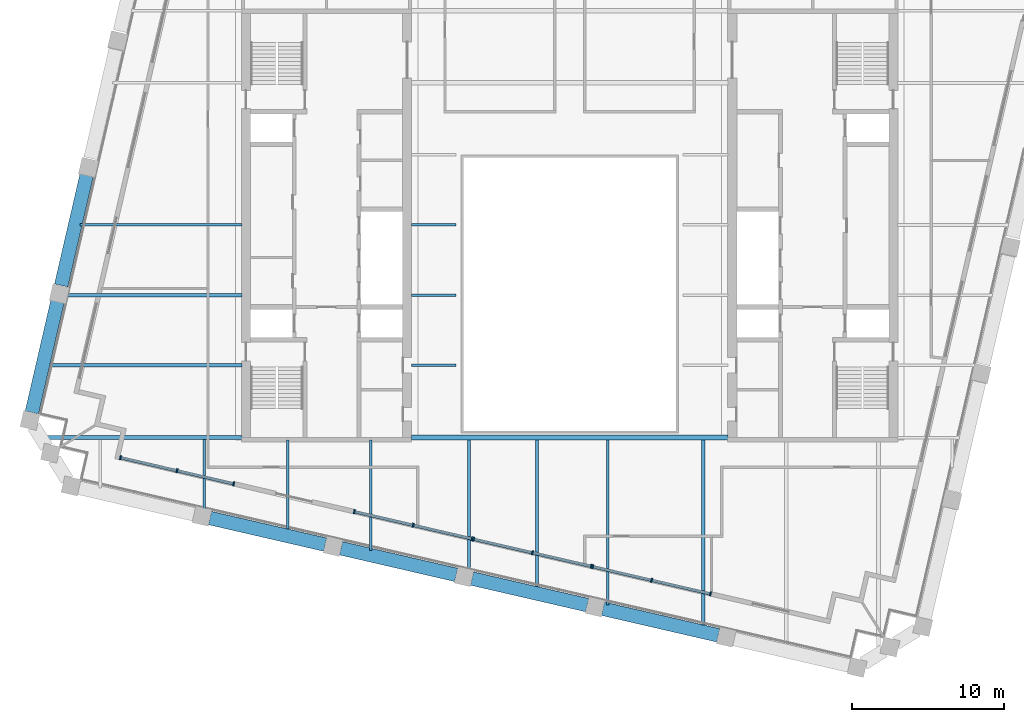
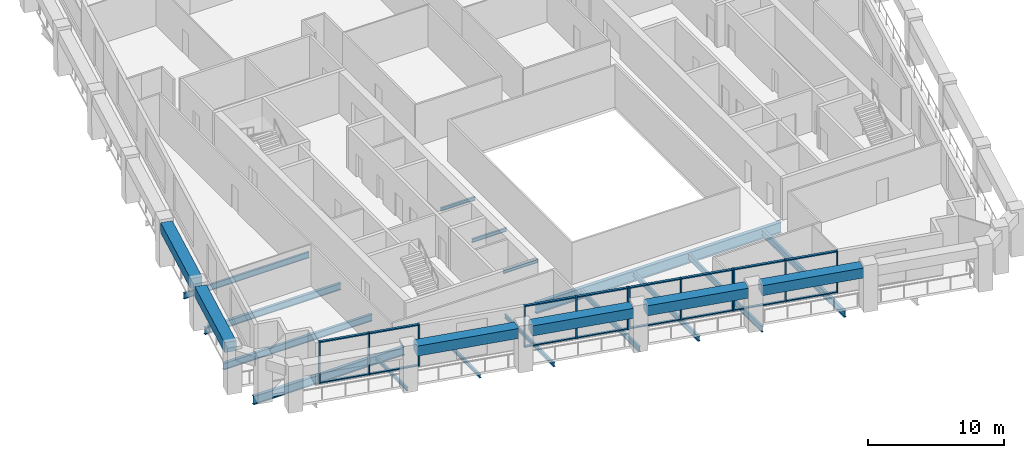
# One storey, part 2 of 11: 28 members, 21 beams, 4 elements without a shape of their own.
"""IFC4 building model written with IfcOpenShell, lengths in metres."""

from ifc_helpers import new_model, si_unit, direction, frame, origin, origin_2d, place, context, subcontext, project, spatial, rectangle, i_section, extrude, material, material_profile, profile_set, type_object, element, aggregate, save


model = new_model("IFC4")

# Units and contexts
model_context = context("Model", 3, precision=1e-05, world=origin(), true_north=direction((0.0, 1.0)))
body_context = subcontext(model_context, "Body", "Model", "MODEL_VIEW")
ifc_project = project(units=[si_unit("LENGTHUNIT", "METRE"), si_unit("AREAUNIT", "SQUARE_METRE"), si_unit("VOLUMEUNIT", "CUBIC_METRE"), si_unit("PLANEANGLEUNIT", "RADIAN"), si_unit("MASSUNIT", "GRAM", prefix="KILO")], contexts=[model_context])

# Site, building, storey
site_placement = place(None, origin())
site = spatial("IfcSite", under=ifc_project, at=site_placement, CompositionType="ELEMENT")
building_placement = place(site_placement, origin())
building = spatial("IfcBuilding", under=site, at=building_placement, Name="Ogive Exchange Tower", CompositionType="ELEMENT")
storey_placement = place(building_placement, frame((0.0, 0.0, 293.39990234375)))
storey = spatial("IfcBuildingStorey", under=building, at=storey_placement, Name="L64", CompositionType="ELEMENT", Elevation=293.39990234375)

# Curtain wall, members
ifc_material_1 = material(Name="Anodised aluminium and clear glass", Category="aluminium")
curtain_wall_type = type_object("IfcCurtainWallType", Name="Executive floor glazing", PredefinedType="NOTDEFINED", material=ifc_material_1)
curtain_wall_1_placement = place(storey_placement, origin())
curtain_wall_1 = element("IfcCurtainWall", 1, at=curtain_wall_1_placement, inside=storey, type_object=curtain_wall_type, Name="Executive floor glazing run G1", PredefinedType="NOTDEFINED")
ifc_material_2 = material(Name="Anodised aluminium", Category="aluminium")
ifc_material_profile_1 = material_profile(ifc_material_2, rectangle(XDim=0.280029296875, YDim=0.10009765625, at=origin_2d()), Name="AL 100x280")
ifc_profile_set_1 = profile_set([ifc_material_profile_1], Name="Anodised aluminium")
member_type_1 = type_object("IfcMemberType", Name="Executive floor glazing mullion 100 x 280", PredefinedType="MULLION", material=ifc_profile_set_1)
member_1_placement = place(storey_placement, frame((-29.5673828125, -3.76953125, 0.0), z_axis=(0.0, 0.0, 1.0), x_axis=(0.224953742238, 0.974369444232, 0.0)))
member_1 = element("IfcMember", 2, at=member_1_placement, type_object=member_type_1, Name="G1 mullion 1", PredefinedType="MULLION", context=body_context, shape_type="SweptSolid", body=[
    extrude(rectangle(XDim=0.280029296875, YDim=0.10009765625, at=origin_2d()), origin(), (0.0, 0.0, 1.0), 3.75),
])
member_2_placement = place(storey_placement, frame((-25.84033203125, -4.6298828125, 0.0), z_axis=(0.0, 0.0, 1.0), x_axis=(0.224953742238, 0.974369444232, 0.0)))
member_2 = element("IfcMember", 3, at=member_2_placement, type_object=member_type_1, Name="G1 mullion 2", PredefinedType="MULLION", context=body_context, shape_type="SweptSolid", body=[
    extrude(rectangle(XDim=0.280029296875, YDim=0.10009765625, at=origin_2d()), origin(), (0.0, 0.0, 1.0), 3.75),
])
member_3_placement = place(storey_placement, frame((-22.113525390625, -5.490478515625, 0.0), z_axis=(0.0, 0.0, 1.0), x_axis=(0.224953742238, 0.974369444232, 0.0)))
member_3 = element("IfcMember", 4, at=member_3_placement, type_object=member_type_1, Name="G1 mullion 3", PredefinedType="MULLION", context=body_context, shape_type="SweptSolid", body=[
    extrude(rectangle(XDim=0.280029296875, YDim=0.10009765625, at=origin_2d()), origin(), (0.0, 0.0, 1.0), 3.75),
])

curtain_wall_2_placement = place(storey_placement, origin())
curtain_wall_2 = element("IfcCurtainWall", 5, at=curtain_wall_2_placement, inside=storey, type_object=curtain_wall_type, Name="Executive floor glazing run G3", PredefinedType="NOTDEFINED")
member_4_placement = place(storey_placement, frame((-14.17236328125, -7.32373046875, 0.0), z_axis=(0.0, 0.0, 1.0), x_axis=(0.224958396731, 0.974368369632, 0.0)))
member_4 = element("IfcMember", 6, at=member_4_placement, type_object=member_type_1, Name="G3 mullion 1", PredefinedType="MULLION", context=body_context, shape_type="SweptSolid", body=[
    extrude(rectangle(XDim=0.280029296875, YDim=0.10009765625, at=origin_2d()), origin(), (0.0, 0.0, 1.0), 3.75),
])
member_5_placement = place(storey_placement, frame((-10.29931640625, -8.218017578125, 0.0), z_axis=(0.0, 0.0, 1.0), x_axis=(0.224958396731, 0.974368369632, 0.0)))
member_5 = element("IfcMember", 7, at=member_5_placement, type_object=member_type_1, Name="G3 mullion 2", PredefinedType="MULLION", context=body_context, shape_type="SweptSolid", body=[
    extrude(rectangle(XDim=0.280029296875, YDim=0.10009765625, at=origin_2d()), origin(), (0.0, 0.0, 1.0), 3.75),
])
member_6_placement = place(storey_placement, frame((-6.426025390625, -9.112060546875, 0.0), z_axis=(0.0, 0.0, 1.0), x_axis=(0.224958396731, 0.974368369632, 0.0)))
member_6 = element("IfcMember", 8, at=member_6_placement, type_object=member_type_1, Name="G3 mullion 3", PredefinedType="MULLION", context=body_context, shape_type="SweptSolid", body=[
    extrude(rectangle(XDim=0.280029296875, YDim=0.10009765625, at=origin_2d()), origin(), (0.0, 0.0, 1.0), 3.75),
])

curtain_wall_3_placement = place(storey_placement, origin())
curtain_wall_3 = element("IfcCurtainWall", 9, at=curtain_wall_3_placement, inside=storey, type_object=curtain_wall_type, Name="Executive floor glazing run G4", PredefinedType="NOTDEFINED")
member_7_placement = place(storey_placement, frame((-6.32861328125, -9.134765625, 0.0), z_axis=(0.0, 0.0, 1.0), x_axis=(0.224943880116, 0.974371721058, 0.0)))
member_7 = element("IfcMember", 10, at=member_7_placement, type_object=member_type_1, Name="G4 mullion 1", PredefinedType="MULLION", context=body_context, shape_type="SweptSolid", body=[
    extrude(rectangle(XDim=0.280029296875, YDim=0.10009765625, at=origin_2d()), origin(), (0.0, 0.0, 1.0), 3.75),
])
member_8_placement = place(storey_placement, frame((-2.45556640625, -10.02880859375, 0.0), z_axis=(0.0, 0.0, 1.0), x_axis=(0.224943880116, 0.974371721058, 0.0)))
member_8 = element("IfcMember", 11, at=member_8_placement, type_object=member_type_1, Name="G4 mullion 2", PredefinedType="MULLION", context=body_context, shape_type="SweptSolid", body=[
    extrude(rectangle(XDim=0.280029296875, YDim=0.10009765625, at=origin_2d()), origin(), (0.0, 0.0, 1.0), 3.75),
])
member_9_placement = place(storey_placement, frame((1.41748046875, -10.9228515625, 0.0), z_axis=(0.0, 0.0, 1.0), x_axis=(0.224943880116, 0.974371721058, 0.0)))
member_9 = element("IfcMember", 12, at=member_9_placement, type_object=member_type_1, Name="G4 mullion 3", PredefinedType="MULLION", context=body_context, shape_type="SweptSolid", body=[
    extrude(rectangle(XDim=0.280029296875, YDim=0.10009765625, at=origin_2d()), origin(), (0.0, 0.0, 1.0), 3.75),
])

curtain_wall_4_placement = place(storey_placement, origin())
curtain_wall_4 = element("IfcCurtainWall", 13, at=curtain_wall_4_placement, inside=storey, type_object=curtain_wall_type, Name="Executive floor glazing run G5", PredefinedType="NOTDEFINED")
member_10_placement = place(storey_placement, frame((1.51513671875, -10.945556640625, 0.0), z_axis=(0.0, 0.0, 1.0), x_axis=(0.224955673842, 0.974368998279, 0.0)))
member_10 = element("IfcMember", 14, at=member_10_placement, type_object=member_type_1, Name="G5 mullion 1", PredefinedType="MULLION", context=body_context, shape_type="SweptSolid", body=[
    extrude(rectangle(XDim=0.280029296875, YDim=0.10009765625, at=origin_2d()), origin(), (0.0, 0.0, 1.0), 3.75),
])
member_11_placement = place(storey_placement, frame((5.38818359375, -11.839599609375, 0.0), z_axis=(0.0, 0.0, 1.0), x_axis=(0.224955673842, 0.974368998279, 0.0)))
member_11 = element("IfcMember", 15, at=member_11_placement, type_object=member_type_1, Name="G5 mullion 2", PredefinedType="MULLION", context=body_context, shape_type="SweptSolid", body=[
    extrude(rectangle(XDim=0.280029296875, YDim=0.10009765625, at=origin_2d()), origin(), (0.0, 0.0, 1.0), 3.75),
])
member_12_placement = place(storey_placement, frame((9.26123046875, -12.73388671875, 0.0), z_axis=(0.0, 0.0, 1.0), x_axis=(0.224955673842, 0.974368998279, 0.0)))
member_12 = element("IfcMember", 16, at=member_12_placement, type_object=member_type_1, Name="G5 mullion 3", PredefinedType="MULLION", context=body_context, shape_type="SweptSolid", body=[
    extrude(rectangle(XDim=0.280029296875, YDim=0.10009765625, at=origin_2d()), origin(), (0.0, 0.0, 1.0), 3.75),
])

# Member
ifc_material_profile_2 = material_profile(ifc_material_2, rectangle(XDim=0.199951171875, YDim=0.10009765625, at=origin_2d()), Name="AL 100x200")
ifc_profile_set_2 = profile_set([ifc_material_profile_2], Name="Anodised aluminium")
member_type_2 = type_object("IfcMemberType", Name="Executive floor glazing transom 100 x 200", PredefinedType="USERDEFINED", material=ifc_profile_set_2)
member_13_placement = place(storey_placement, frame((-29.5185546875, -3.78076171875, 0.050048828125), z_axis=(0.974371307868, -0.224945669891, 0.0), x_axis=(0.224945669891, 0.974371307868, 0.0)))
member_13 = element("IfcMember", 17, at=member_13_placement, type_object=member_type_2, Name="G1 transom 1.1", ObjectType="TRANSOM", PredefinedType="USERDEFINED", context=body_context, shape_type="SweptSolid", body=[
    extrude(rectangle(XDim=0.199951171875, YDim=0.10009765625, at=origin_2d()), origin(), (0.0, 0.0, 1.0), 3.724853515625),
])

member_14_placement = place(storey_placement, frame((-29.5185546875, -3.78076171875, 3.7001953125), z_axis=(0.974371307868, -0.224945669891, 0.0), x_axis=(0.224945669891, 0.974371307868, 0.0)))
member_14 = element("IfcMember", 18, at=member_14_placement, type_object=member_type_2, Name="G1 transom 1.2", ObjectType="TRANSOM", PredefinedType="USERDEFINED", context=body_context, shape_type="SweptSolid", body=[
    extrude(rectangle(XDim=0.199951171875, YDim=0.10009765625, at=origin_2d()), origin(), (0.0, 0.0, 1.0), 3.724853515625),
])

member_15_placement = place(storey_placement, frame((-25.791748046875, -4.641357421875, 0.050048828125), z_axis=(0.974374624094, -0.224931304896, 0.0), x_axis=(0.224931304896, 0.974374624094, 0.0)))
member_15 = element("IfcMember", 19, at=member_15_placement, type_object=member_type_2, Name="G1 transom 2.1", ObjectType="TRANSOM", PredefinedType="USERDEFINED", context=body_context, shape_type="SweptSolid", body=[
    extrude(rectangle(XDim=0.199951171875, YDim=0.10009765625, at=origin_2d()), origin(), (0.0, 0.0, 1.0), 3.72509765625),
])

member_16_placement = place(storey_placement, frame((-25.791748046875, -4.641357421875, 3.7001953125), z_axis=(0.974374624094, -0.224931304896, 0.0), x_axis=(0.224931304896, 0.974374624094, 0.0)))
member_16 = element("IfcMember", 20, at=member_16_placement, type_object=member_type_2, Name="G1 transom 2.2", ObjectType="TRANSOM", PredefinedType="USERDEFINED", context=body_context, shape_type="SweptSolid", body=[
    extrude(rectangle(XDim=0.199951171875, YDim=0.10009765625, at=origin_2d()), origin(), (0.0, 0.0, 1.0), 3.72509765625),
])

aggregate(curtain_wall_1, [member_1, member_2, member_3, member_13, member_14, member_15, member_16])

member_17_placement = place(storey_placement, frame((-14.12353515625, -7.3349609375, 0.050048828125), z_axis=(0.974361454812, -0.224988344981, 0.0), x_axis=(0.224988344981, 0.974361454812, 0.0)))
member_17 = element("IfcMember", 21, at=member_17_placement, type_object=member_type_2, Name="G3 transom 1.1", ObjectType="TRANSOM", PredefinedType="USERDEFINED", context=body_context, shape_type="SweptSolid", body=[
    extrude(rectangle(XDim=0.199951171875, YDim=0.10009765625, at=origin_2d()), origin(), (0.0, 0.0, 1.0), 3.875),
])

member_18_placement = place(storey_placement, frame((-14.12353515625, -7.3349609375, 3.7001953125), z_axis=(0.974361454812, -0.224988344981, 0.0), x_axis=(0.224988344981, 0.974361454812, 0.0)))
member_18 = element("IfcMember", 22, at=member_18_placement, type_object=member_type_2, Name="G3 transom 1.2", ObjectType="TRANSOM", PredefinedType="USERDEFINED", context=body_context, shape_type="SweptSolid", body=[
    extrude(rectangle(XDim=0.199951171875, YDim=0.10009765625, at=origin_2d()), origin(), (0.0, 0.0, 1.0), 3.875),
])

member_19_placement = place(storey_placement, frame((-10.25048828125, -8.229248046875, 0.050048828125), z_axis=(0.974375264972, -0.224928528674, 0.0), x_axis=(0.224928528674, 0.974375264972, 0.0)))
member_19 = element("IfcMember", 23, at=member_19_placement, type_object=member_type_2, Name="G3 transom 2.1", ObjectType="TRANSOM", PredefinedType="USERDEFINED", context=body_context, shape_type="SweptSolid", body=[
    extrude(rectangle(XDim=0.199951171875, YDim=0.10009765625, at=origin_2d()), origin(), (0.0, 0.0, 1.0), 3.875),
])

member_20_placement = place(storey_placement, frame((-10.25048828125, -8.229248046875, 3.7001953125), z_axis=(0.974375264972, -0.224928528674, 0.0), x_axis=(0.224928528674, 0.974375264972, 0.0)))
member_20 = element("IfcMember", 24, at=member_20_placement, type_object=member_type_2, Name="G3 transom 2.2", ObjectType="TRANSOM", PredefinedType="USERDEFINED", context=body_context, shape_type="SweptSolid", body=[
    extrude(rectangle(XDim=0.199951171875, YDim=0.10009765625, at=origin_2d()), origin(), (0.0, 0.0, 1.0), 3.875),
])

aggregate(curtain_wall_2, [member_4, member_5, member_6, member_17, member_18, member_19, member_20])

member_21_placement = place(storey_placement, frame((-6.280029296875, -9.14599609375, 0.050048828125), z_axis=(0.97437845229, -0.22491472098, 0.0), x_axis=(0.22491472098, 0.97437845229, 0.0)))
member_21 = element("IfcMember", 25, at=member_21_placement, type_object=member_type_2, Name="G4 transom 1.1", ObjectType="TRANSOM", PredefinedType="USERDEFINED", context=body_context, shape_type="SweptSolid", body=[
    extrude(rectangle(XDim=0.199951171875, YDim=0.10009765625, at=origin_2d()), origin(), (0.0, 0.0, 1.0), 3.875244140625),
])

member_22_placement = place(storey_placement, frame((-6.280029296875, -9.14599609375, 3.7001953125), z_axis=(0.97437845229, -0.22491472098, 0.0), x_axis=(0.22491472098, 0.97437845229, 0.0)))
member_22 = element("IfcMember", 26, at=member_22_placement, type_object=member_type_2, Name="G4 transom 1.2", ObjectType="TRANSOM", PredefinedType="USERDEFINED", context=body_context, shape_type="SweptSolid", body=[
    extrude(rectangle(XDim=0.199951171875, YDim=0.10009765625, at=origin_2d()), origin(), (0.0, 0.0, 1.0), 3.875244140625),
])

member_23_placement = place(storey_placement, frame((-2.40673828125, -10.0400390625, 0.050048828125), z_axis=(0.974375264972, -0.224928528674, 0.0), x_axis=(0.224928528674, 0.974375264972, 0.0)))
member_23 = element("IfcMember", 27, at=member_23_placement, type_object=member_type_2, Name="G4 transom 2.1", ObjectType="TRANSOM", PredefinedType="USERDEFINED", context=body_context, shape_type="SweptSolid", body=[
    extrude(rectangle(XDim=0.199951171875, YDim=0.10009765625, at=origin_2d()), origin(), (0.0, 0.0, 1.0), 3.875),
])

member_24_placement = place(storey_placement, frame((-2.40673828125, -10.0400390625, 3.7001953125), z_axis=(0.974375264972, -0.224928528674, 0.0), x_axis=(0.224928528674, 0.974375264972, 0.0)))
member_24 = element("IfcMember", 28, at=member_24_placement, type_object=member_type_2, Name="G4 transom 2.2", ObjectType="TRANSOM", PredefinedType="USERDEFINED", context=body_context, shape_type="SweptSolid", body=[
    extrude(rectangle(XDim=0.199951171875, YDim=0.10009765625, at=origin_2d()), origin(), (0.0, 0.0, 1.0), 3.875),
])

aggregate(curtain_wall_3, [member_7, member_8, member_9, member_21, member_22, member_23, member_24])

member_25_placement = place(storey_placement, frame((1.563720703125, -10.956787109375, 0.050048828125), z_axis=(0.974375264972, -0.224928528674, 0.0), x_axis=(0.224928528674, 0.974375264972, 0.0)))
member_25 = element("IfcMember", 29, at=member_25_placement, type_object=member_type_2, Name="G5 transom 1.1", ObjectType="TRANSOM", PredefinedType="USERDEFINED", context=body_context, shape_type="SweptSolid", body=[
    extrude(rectangle(XDim=0.199951171875, YDim=0.10009765625, at=origin_2d()), origin(), (0.0, 0.0, 1.0), 3.875),
])

member_26_placement = place(storey_placement, frame((1.563720703125, -10.956787109375, 3.7001953125), z_axis=(0.974375264972, -0.224928528674, 0.0), x_axis=(0.224928528674, 0.974375264972, 0.0)))
member_26 = element("IfcMember", 30, at=member_26_placement, type_object=member_type_2, Name="G5 transom 1.2", ObjectType="TRANSOM", PredefinedType="USERDEFINED", context=body_context, shape_type="SweptSolid", body=[
    extrude(rectangle(XDim=0.199951171875, YDim=0.10009765625, at=origin_2d()), origin(), (0.0, 0.0, 1.0), 3.875),
])

member_27_placement = place(storey_placement, frame((5.436767578125, -11.850830078125, 0.050048828125), z_axis=(0.97436464378, -0.224974534006, 0.0), x_axis=(0.224974534006, 0.97436464378, 0.0)))
member_27 = element("IfcMember", 31, at=member_27_placement, type_object=member_type_2, Name="G5 transom 2.1", ObjectType="TRANSOM", PredefinedType="USERDEFINED", context=body_context, shape_type="SweptSolid", body=[
    extrude(rectangle(XDim=0.199951171875, YDim=0.10009765625, at=origin_2d()), origin(), (0.0, 0.0, 1.0), 3.875244140625),
])

member_28_placement = place(storey_placement, frame((5.436767578125, -11.850830078125, 3.7001953125), z_axis=(0.97436464378, -0.224974534006, 0.0), x_axis=(0.224974534006, 0.97436464378, 0.0)))
member_28 = element("IfcMember", 32, at=member_28_placement, type_object=member_type_2, Name="G5 transom 2.2", ObjectType="TRANSOM", PredefinedType="USERDEFINED", context=body_context, shape_type="SweptSolid", body=[
    extrude(rectangle(XDim=0.199951171875, YDim=0.10009765625, at=origin_2d()), origin(), (0.0, 0.0, 1.0), 3.875244140625),
])

aggregate(curtain_wall_4, [member_10, member_11, member_12, member_25, member_26, member_27, member_28])

# Beams
ifc_material_3 = material(Name="Steel ASTM A992 Gr50", Category="steel")
ifc_material_profile_3 = material_profile(ifc_material_3, i_section(OverallWidth=0.1650390625, OverallDepth=0.31005859375, WebThickness=0.005859375, FlangeThickness=0.009765625, at=origin_2d()), Name="W310x38.7")
ifc_profile_set_3 = profile_set([ifc_material_profile_3], Name="Steel ASTM A992 Gr50")
beam_type_1 = type_object("IfcBeamType", Name="Floor beam W310x38.7", PredefinedType="JOIST", material=ifc_profile_set_3)
for number, where, z_axis, x_axis, name in (
    (33, (-10.419921875, 2.3212890625, -0.40478515625), (1.0, 0.0, 0.0), (0.0, 1.0, 0.0), "Floor beam"),
    (34, (-10.419921875, 6.9326171875, -0.40478515625), (1.0, 0.0, 0.0), (0.0, 1.0, 0.0), "Floor beam"),
    (35, (-10.419921875, 11.543701171875, -0.40478515625), (1.0, 0.0, 0.0), (0.0, 1.0, 0.0), "Floor beam"),
):
    element("IfcBeam", number, at=place(storey_placement, frame(where, z_axis=z_axis, x_axis=x_axis)), inside=storey, type_object=beam_type_1, Name=name, PredefinedType="JOIST", context=body_context, shape_type="SweptSolid", body=[
        extrude(i_section(OverallWidth=0.1650390625, OverallDepth=0.31005859375, WebThickness=0.005859375, FlangeThickness=0.009765625, at=origin_2d()), origin(), (0.0, 0.0, 1.0), 2.949951171875),
    ])
beam_1_placement = place(storey_placement, frame((-24.03857421875, -7.201171875, -0.40478515625), z_axis=(0.0, 1.0, 0.0), x_axis=(-1.0, 0.0, 0.0)))
element("IfcBeam", 36, at=beam_1_placement, inside=storey, type_object=beam_type_1, Name="Floor beam", PredefinedType="JOIST", context=body_context, shape_type="SweptSolid", body=[
    extrude(i_section(OverallWidth=0.1650390625, OverallDepth=0.31005859375, WebThickness=0.005859375, FlangeThickness=0.009765625, at=origin_2d()), origin(), (0.0, 0.0, 1.0), 4.62255859375),
])
beam_2_placement = place(storey_placement, frame((-18.568603515625, -8.464111328125, -0.40478515625), z_axis=(0.0, 1.0, 0.0), x_axis=(-1.0, 0.0, 0.0)))
element("IfcBeam", 37, at=beam_2_placement, inside=storey, type_object=beam_type_1, Name="Floor beam", PredefinedType="JOIST", context=body_context, shape_type="SweptSolid", body=[
    extrude(i_section(OverallWidth=0.1650390625, OverallDepth=0.31005859375, WebThickness=0.005859375, FlangeThickness=0.009765625, at=origin_2d()), origin(), (0.0, 0.0, 1.0), 5.864013671875),
])
ifc_material_profile_4 = material_profile(ifc_material_3, i_section(OverallWidth=0.1708984375, OverallDepth=0.35595703125, WebThickness=0.00732421875, FlangeThickness=0.01171875, at=origin_2d()), Name="W360x51")
ifc_profile_set_4 = profile_set([ifc_material_profile_4], Name="Steel ASTM A992 Gr50")
beam_type_2 = type_object("IfcBeamType", Name="Floor beam W360x51", PredefinedType="JOIST", material=ifc_profile_set_4)
beam_3_placement = place(storey_placement, frame((-13.098388671875, -9.876953125, -0.427978515625), z_axis=(0.0, 1.0, 0.0), x_axis=(-1.0, 0.0, 0.0)))
element("IfcBeam", 38, at=beam_3_placement, inside=storey, type_object=beam_type_2, Name="Floor beam", PredefinedType="JOIST", context=body_context, shape_type="SweptSolid", body=[
    extrude(i_section(OverallWidth=0.1708984375, OverallDepth=0.35595703125, WebThickness=0.00732421875, FlangeThickness=0.01171875, at=origin_2d()), origin(), (0.0, 0.0, 1.0), 7.27685546875),
])
ifc_material_profile_5 = material_profile(ifc_material_3, i_section(OverallWidth=0.19091796875, OverallDepth=0.45703125, WebThickness=0.009033203125, FlangeThickness=0.014404296875, at=origin_2d()), Name="W460x74")
ifc_profile_set_5 = profile_set([ifc_material_profile_5], Name="Steel ASTM A992 Gr50")
beam_type_3 = type_object("IfcBeamType", Name="Floor beam W460x74", PredefinedType="JOIST", material=ifc_profile_set_5)
beam_4_placement = place(storey_placement, frame((-6.62841796875, -11.220703125, -0.478515625), z_axis=(0.0, 1.0, 0.0), x_axis=(-1.0, 0.0, 0.0)))
element("IfcBeam", 39, at=beam_4_placement, inside=storey, type_object=beam_type_3, Name="Floor beam", PredefinedType="JOIST", context=body_context, shape_type="SweptSolid", body=[
    extrude(i_section(OverallWidth=0.19091796875, OverallDepth=0.45703125, WebThickness=0.009033203125, FlangeThickness=0.014404296875, at=origin_2d()), origin(), (0.0, 0.0, 1.0), 8.625732421875),
])
ifc_material_profile_6 = material_profile(ifc_material_3, i_section(OverallWidth=0.19189453125, OverallDepth=0.4619140625, WebThickness=0.010498046875, FlangeThickness=0.017578125, at=origin_2d()), Name="W460x89")
ifc_profile_set_6 = profile_set([ifc_material_profile_6], Name="Steel ASTM A992 Gr50")
beam_type_4 = type_object("IfcBeamType", Name="Floor beam W460x89", PredefinedType="JOIST", material=ifc_profile_set_6)
beam_5_placement = place(storey_placement, frame((-2.158203125, -12.252685546875, -0.48095703125), z_axis=(0.0, 1.0, 0.0), x_axis=(-1.0, 0.0, 0.0)))
element("IfcBeam", 40, at=beam_5_placement, inside=storey, type_object=beam_type_4, Name="Floor beam", PredefinedType="JOIST", context=body_context, shape_type="SweptSolid", body=[
    extrude(i_section(OverallWidth=0.19189453125, OverallDepth=0.4619140625, WebThickness=0.010498046875, FlangeThickness=0.017578125, at=origin_2d()), origin(), (0.0, 0.0, 1.0), 9.65771484375),
])
ifc_material_profile_7 = material_profile(ifc_material_3, i_section(OverallWidth=0.1669921875, OverallDepth=0.535888671875, WebThickness=0.01025390625, FlangeThickness=0.0166015625, at=origin_2d()), Name="W530x85")
ifc_profile_set_7 = profile_set([ifc_material_profile_7], Name="Steel ASTM A992 Gr50")
beam_type_5 = type_object("IfcBeamType", Name="Floor beam W530x85", PredefinedType="JOIST", material=ifc_profile_set_7)
beam_6_placement = place(storey_placement, frame((-32.2373046875, 11.543701171875, -0.517822265625), z_axis=(1.0, 0.0, 0.0), x_axis=(0.0, 1.0, 0.0)))
element("IfcBeam", 41, at=beam_6_placement, inside=storey, type_object=beam_type_5, Name="Floor beam", PredefinedType="JOIST", context=body_context, shape_type="SweptSolid", body=[
    extrude(i_section(OverallWidth=0.1669921875, OverallDepth=0.535888671875, WebThickness=0.01025390625, FlangeThickness=0.0166015625, at=origin_2d()), origin(), (0.0, 0.0, 1.0), 10.6572265625),
])
beam_7_placement = place(storey_placement, frame((2.51171875, -13.480712890625, -0.517822265625), z_axis=(0.0, 1.0, 0.0), x_axis=(-1.0, 0.0, 0.0)))
element("IfcBeam", 42, at=beam_7_placement, inside=storey, type_object=beam_type_5, Name="Floor beam", PredefinedType="JOIST", context=body_context, shape_type="SweptSolid", body=[
    extrude(i_section(OverallWidth=0.1669921875, OverallDepth=0.535888671875, WebThickness=0.01025390625, FlangeThickness=0.0166015625, at=origin_2d()), origin(), (0.0, 0.0, 1.0), 10.8857421875),
])
ifc_material_profile_8 = material_profile(ifc_material_3, i_section(OverallWidth=0.22802734375, OverallDepth=0.60205078125, WebThickness=0.010498046875, FlangeThickness=0.014892578125, at=origin_2d()), Name="W610x101")
ifc_profile_set_8 = profile_set([ifc_material_profile_8], Name="Steel ASTM A992 Gr50")
beam_type_6 = type_object("IfcBeamType", Name="Floor beam W610x101", PredefinedType="JOIST", material=ifc_profile_set_8)
beam_8_placement = place(storey_placement, frame((-34.21630859375, 2.3212890625, -0.55078125), z_axis=(1.0, 0.0, 0.0), x_axis=(0.0, 1.0, 0.0)))
element("IfcBeam", 43, at=beam_8_placement, inside=storey, type_object=beam_type_6, Name="Floor beam", PredefinedType="JOIST", context=body_context, shape_type="SweptSolid", body=[
    extrude(i_section(OverallWidth=0.22802734375, OverallDepth=0.60205078125, WebThickness=0.010498046875, FlangeThickness=0.014892578125, at=origin_2d()), origin(), (0.0, 0.0, 1.0), 12.63623046875),
])
beam_9_placement = place(storey_placement, frame((-33.15185546875, 6.9326171875, -0.55078125), z_axis=(1.0, 0.0, 0.0), x_axis=(0.0, 1.0, 0.0)))
element("IfcBeam", 44, at=beam_9_placement, inside=storey, type_object=beam_type_6, Name="Floor beam", PredefinedType="JOIST", context=body_context, shape_type="SweptSolid", body=[
    extrude(i_section(OverallWidth=0.22802734375, OverallDepth=0.60205078125, WebThickness=0.010498046875, FlangeThickness=0.014892578125, at=origin_2d()), origin(), (0.0, 0.0, 1.0), 11.57177734375),
])
beam_10_placement = place(storey_placement, frame((8.78173828125, -14.7783203125, -0.55078125), z_axis=(0.0, 1.0, 0.0), x_axis=(-1.0, 0.0, 0.0)))
element("IfcBeam", 45, at=beam_10_placement, inside=storey, type_object=beam_type_6, Name="Floor beam", PredefinedType="JOIST", context=body_context, shape_type="SweptSolid", body=[
    extrude(i_section(OverallWidth=0.22802734375, OverallDepth=0.60205078125, WebThickness=0.010498046875, FlangeThickness=0.014892578125, at=origin_2d()), origin(), (0.0, 0.0, 1.0), 12.183349609375),
])
ifc_material_profile_9 = material_profile(ifc_material_3, i_section(OverallWidth=0.300048828125, OverallDepth=0.97998046875, WebThickness=0.0166015625, FlangeThickness=0.026123046875, at=origin_2d()), Name="W1000x249")
ifc_profile_set_9 = profile_set([ifc_material_profile_9], Name="Steel ASTM A992 Gr50")
beam_type_7 = type_object("IfcBeamType", Name="Girder W1000x249", PredefinedType="BEAM", material=ifc_profile_set_9)
beam_11_placement = place(storey_placement, frame((-10.419921875, -2.445068359375, -0.739990234375), z_axis=(1.0, 0.0, 0.0), x_axis=(0.0, 1.0, 0.0)))
element("IfcBeam", 46, at=beam_11_placement, inside=storey, type_object=beam_type_7, Name="Header girder", PredefinedType="BEAM", context=body_context, shape_type="SweptSolid", body=[
    extrude(i_section(OverallWidth=0.300048828125, OverallDepth=0.97998046875, WebThickness=0.0166015625, FlangeThickness=0.026123046875, at=origin_2d()), origin(), (0.0, 0.0, 1.0), 20.83984375),
])
ifc_material_profile_10 = material_profile(ifc_material_3, i_section(OverallWidth=0.26708984375, OverallDepth=0.75390625, WebThickness=0.01318359375, FlangeThickness=0.01708984375, at=origin_2d()), Name="W760x147")
ifc_profile_set_10 = profile_set([ifc_material_profile_10], Name="Steel ASTM A992 Gr50")
beam_type_8 = type_object("IfcBeamType", Name="Girder W760x147", PredefinedType="BEAM", material=ifc_profile_set_10)
beam_12_placement = place(storey_placement, frame((-34.43359375, -2.445068359375, -0.626953125), z_axis=(1.0, 0.0, 0.0), x_axis=(0.0, 1.0, 0.0)))
element("IfcBeam", 47, at=beam_12_placement, inside=storey, type_object=beam_type_8, Name="Header girder", PredefinedType="BEAM", context=body_context, shape_type="SweptSolid", body=[
    extrude(i_section(OverallWidth=0.26708984375, OverallDepth=0.75390625, WebThickness=0.01318359375, FlangeThickness=0.01708984375, at=origin_2d()), origin(), (0.0, 0.0, 1.0), 12.853515625),
])
ifc_material_4 = material(Name="Precast concrete C70/85 (limestone faced)", Category="masonry")
ifc_material_profile_11 = material_profile(ifc_material_4, rectangle(XDim=0.89990234375, YDim=0.89990234375, at=origin_2d()), Name="900 x 900")
ifc_profile_set_11 = profile_set([ifc_material_profile_11], Name="Precast concrete C70/85 (limestone faced)")
beam_type_9 = type_object("IfcBeamType", Name="Precast spandrel 900 x 900 C70/85", PredefinedType="SPANDREL", material=ifc_profile_set_11)
for number, where, z_axis, x_axis, name in (
    (48, (-23.680908203125, -7.74560546875, 3.5), (0.974367949416, -0.224960216819, 0.0), (0.224960216819, 0.974367949416, 0.0), "Spandrel 2"),
    (49, (-15.0576171875, -9.736328125, 3.5), (0.974367949416, -0.224960216819, 0.0), (0.224960216819, 0.974367949416, 0.0), "Spandrel 3"),
    (50, (-6.4345703125, -11.727294921875, 3.5), (0.974374818602, -0.224930462307, 0.0), (0.224930462307, 0.974374818602, 0.0), "Spandrel 4"),
):
    element("IfcBeam", number, at=place(storey_placement, frame(where, z_axis=z_axis, x_axis=x_axis)), inside=storey, type_object=beam_type_9, Name=name, PredefinedType="SPANDREL", context=body_context, shape_type="SweptSolid", body=[
        extrude(rectangle(XDim=0.89990234375, YDim=0.89990234375, at=origin_2d()), origin(), (0.0, 0.0, 1.0), 7.7900390625),
    ])
beam_13_placement = place(storey_placement, frame((2.188720703125, -13.718017578125, 3.5), z_axis=(0.974366363305, -0.224967086616, 0.0), x_axis=(0.224967086616, 0.974366363305, 0.0)))
element("IfcBeam", 51, at=beam_13_placement, inside=storey, type_object=beam_type_9, Name="Spandrel 5", PredefinedType="SPANDREL", context=body_context, shape_type="SweptSolid", body=[
    extrude(rectangle(XDim=0.89990234375, YDim=0.89990234375, at=origin_2d()), origin(), (0.0, 0.0, 1.0), 7.789794921875),
])
beam_14_placement = place(storey_placement, frame((-31.7744140625, 14.8994140625, 3.5), z_axis=(-0.224935308687, -0.974373699823, 0.0), x_axis=(0.974373699823, -0.224935308687, 0.0)))
element("IfcBeam", 52, at=beam_14_placement, inside=storey, type_object=beam_type_9, Name="Spandrel 31", PredefinedType="SPANDREL", context=body_context, shape_type="SweptSolid", body=[
    extrude(rectangle(XDim=0.89990234375, YDim=0.89990234375, at=origin_2d()), origin(), (0.0, 0.0, 1.0), 7.527099609375),
])
beam_15_placement = place(storey_placement, frame((-33.7060546875, 6.532470703125, 3.5), z_axis=(-0.224942417674, -0.974372058677, 0.0), x_axis=(0.974372058677, -0.224942417674, 0.0)))
element("IfcBeam", 53, at=beam_15_placement, inside=storey, type_object=beam_type_9, Name="Spandrel 32", PredefinedType="SPANDREL", context=body_context, shape_type="SweptSolid", body=[
    extrude(rectangle(XDim=0.89990234375, YDim=0.89990234375, at=origin_2d()), origin(), (0.0, 0.0, 1.0), 7.52685546875),
])

save(model, "model.ifc")
